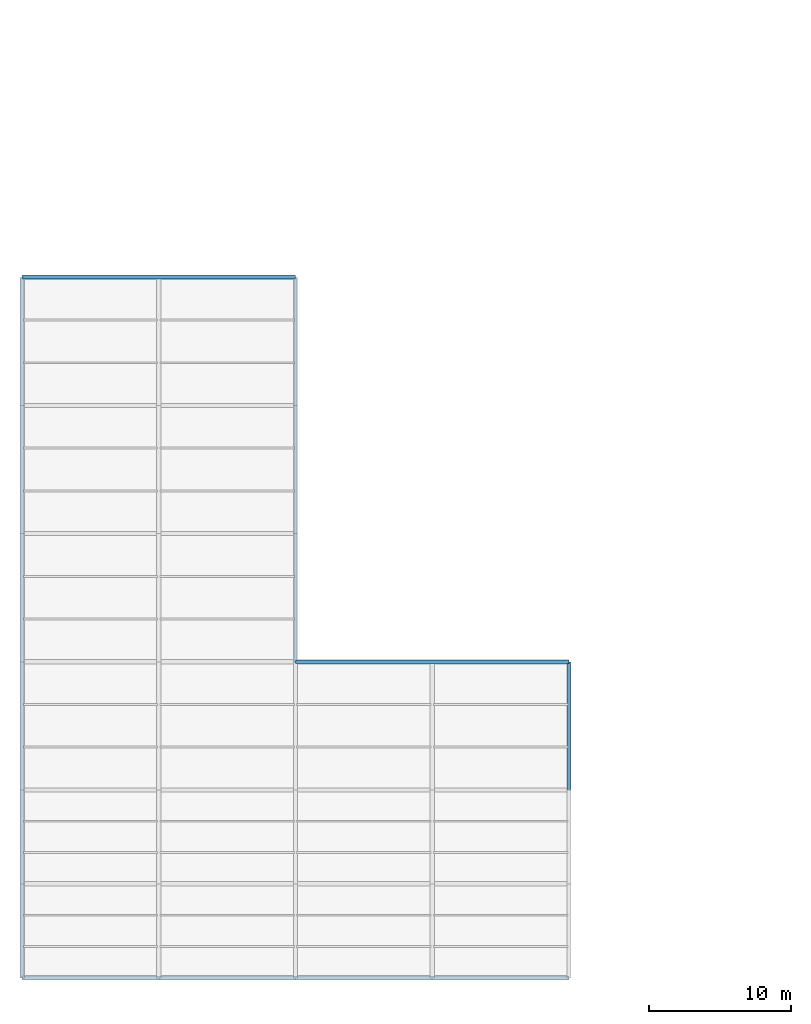
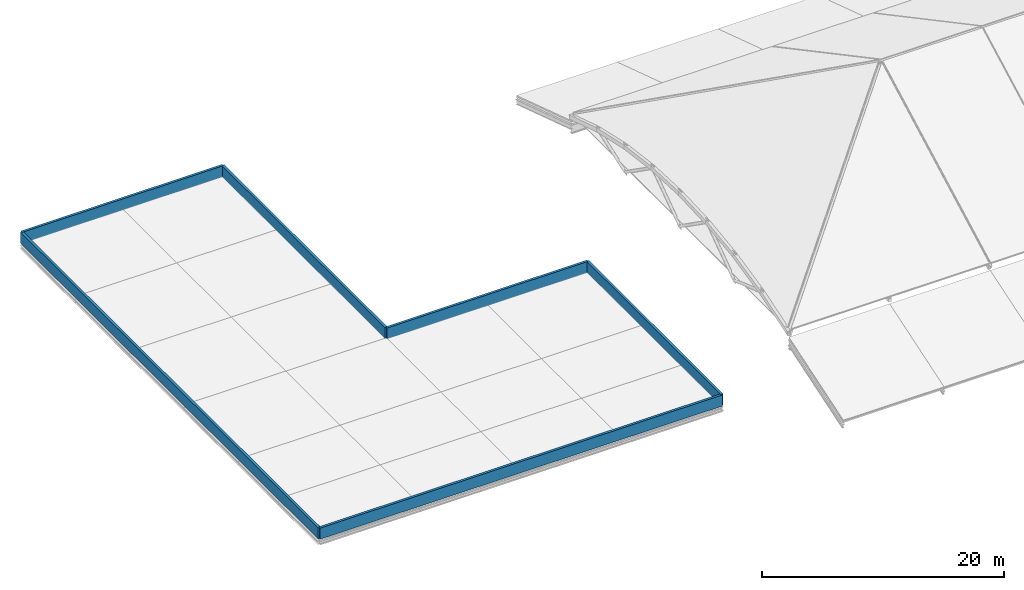
# One storey, part 15 of 16: 6 walls.
"""IFC4 building model written with IfcOpenShell, lengths in metres."""

from ifc_helpers import new_model, si_unit, direction, frame, frame_2d, origin, place, context, subcontext, project, spatial, rectangle, extrude, material, layer, layer_set, type_object, element, save


model = new_model("IFC4")

# Units and contexts
model_context = context("Model", 3, precision=1e-05, world=origin(), true_north=direction((0.0, 1.0)))
body_context = subcontext(model_context, "Body", "Model", "MODEL_VIEW")
ifc_project = project(units=[si_unit("LENGTHUNIT", "METRE"), si_unit("AREAUNIT", "SQUARE_METRE"), si_unit("VOLUMEUNIT", "CUBIC_METRE"), si_unit("PLANEANGLEUNIT", "RADIAN"), si_unit("MASSUNIT", "GRAM", prefix="KILO")], contexts=[model_context])

# Site, building, storey
site_placement = place(None, origin())
site = spatial("IfcSite", under=ifc_project, at=site_placement, CompositionType="ELEMENT")
building_placement = place(site_placement, origin())
building = spatial("IfcBuilding", under=site, at=building_placement, Name="Zarnetskaya Central Station", CompositionType="ELEMENT")
storey_placement = place(building_placement, frame((0.0, 0.0, 27.0)))
storey = spatial("IfcBuildingStorey", under=building, at=storey_placement, Name="RF", CompositionType="ELEMENT", Elevation=27.0)

# Walls
ifc_material = material(Name="Precast concrete C40/50", Category="concrete")
ifc_layer = layer(ifc_material, 0.22998046875, Name="Precast concrete C40/50", Category="concrete")
ifc_layer_set = layer_set([ifc_layer], Name="Precast concrete C40/50")
wall_type = type_object("IfcWallType", Name="WALL-PRP-230", PredefinedType="PARAPET", material=ifc_layer_set)
wall_1_placement = place(storey_placement, frame((0.0, 0.0, 0.0), z_axis=(0.0, 0.0, 1.0), x_axis=(0.0, 1.0, 0.0)))
element("IfcWall", 1, at=wall_1_placement, inside=storey, type_object=wall_type, Name="Roof parapet RF-01", PredefinedType="PARAPET", context=body_context, shape_type="SweptSolid", body=[
    extrude(rectangle(XDim=49.199951171875, YDim=0.22998046875, at=frame_2d((24.60009765625, 0.0))), origin(), (0.0, 0.0, 1.0), 1.1201171875),
])
wall_2_placement = place(storey_placement, frame((0.0, 49.199951171875, 0.0), z_axis=(0.0, 0.0, 1.0), x_axis=(1.0, 0.0, 0.0)))
element("IfcWall", 2, at=wall_2_placement, inside=storey, type_object=wall_type, Name="Roof parapet RF-02", PredefinedType="PARAPET", context=body_context, shape_type="SweptSolid", body=[
    extrude(rectangle(XDim=19.199951171875, YDim=0.22998046875, at=frame_2d((9.60009765625, 0.0))), origin(), (0.0, 0.0, 1.0), 1.1201171875),
])
wall_3_placement = place(storey_placement, frame((19.199951171875, 49.199951171875, 0.0), z_axis=(0.0, 0.0, 1.0), x_axis=(0.0, -1.0, 0.0)))
element("IfcWall", 3, at=wall_3_placement, inside=storey, type_object=wall_type, Name="Roof parapet RF-03", PredefinedType="PARAPET", context=body_context, shape_type="SweptSolid", body=[
    extrude(rectangle(XDim=27.0, YDim=0.22998046875, at=frame_2d((13.5, 0.0))), origin(), (0.0, 0.0, 1.0), 1.1201171875),
])
wall_4_placement = place(storey_placement, frame((19.199951171875, 22.199951171875, 0.0), z_axis=(0.0, 0.0, 1.0), x_axis=(1.0, 0.0, 0.0)))
element("IfcWall", 4, at=wall_4_placement, inside=storey, type_object=wall_type, Name="Roof parapet RF-04", PredefinedType="PARAPET", context=body_context, shape_type="SweptSolid", body=[
    extrude(rectangle(XDim=19.199951171875, YDim=0.22998046875, at=frame_2d((9.60009765625, 0.0))), origin(), (0.0, 0.0, 1.0), 1.1201171875),
])
wall_5_placement = place(storey_placement, frame((38.39990234375, 22.199951171875, 0.0), z_axis=(0.0, 0.0, 1.0), x_axis=(0.0, -1.0, 0.0)))
element("IfcWall", 5, at=wall_5_placement, inside=storey, type_object=wall_type, Name="Roof parapet RF-05", PredefinedType="PARAPET", context=body_context, shape_type="SweptSolid", body=[
    extrude(rectangle(XDim=22.199951171875, YDim=0.22998046875, at=frame_2d((11.10009765625, 0.0))), origin(), (0.0, 0.0, 1.0), 1.1201171875),
])
wall_6_placement = place(storey_placement, frame((38.39990234375, 0.0, 0.0), z_axis=(0.0, 0.0, 1.0), x_axis=(-1.0, 0.0, 0.0)))
element("IfcWall", 6, at=wall_6_placement, inside=storey, type_object=wall_type, Name="Roof parapet RF-06", PredefinedType="PARAPET", context=body_context, shape_type="SweptSolid", body=[
    extrude(rectangle(XDim=38.39990234375, YDim=0.22998046875, at=frame_2d((19.199951171875, 0.0))), origin(), (0.0, 0.0, 1.0), 1.1201171875),
])

save(model, "model.ifc")
